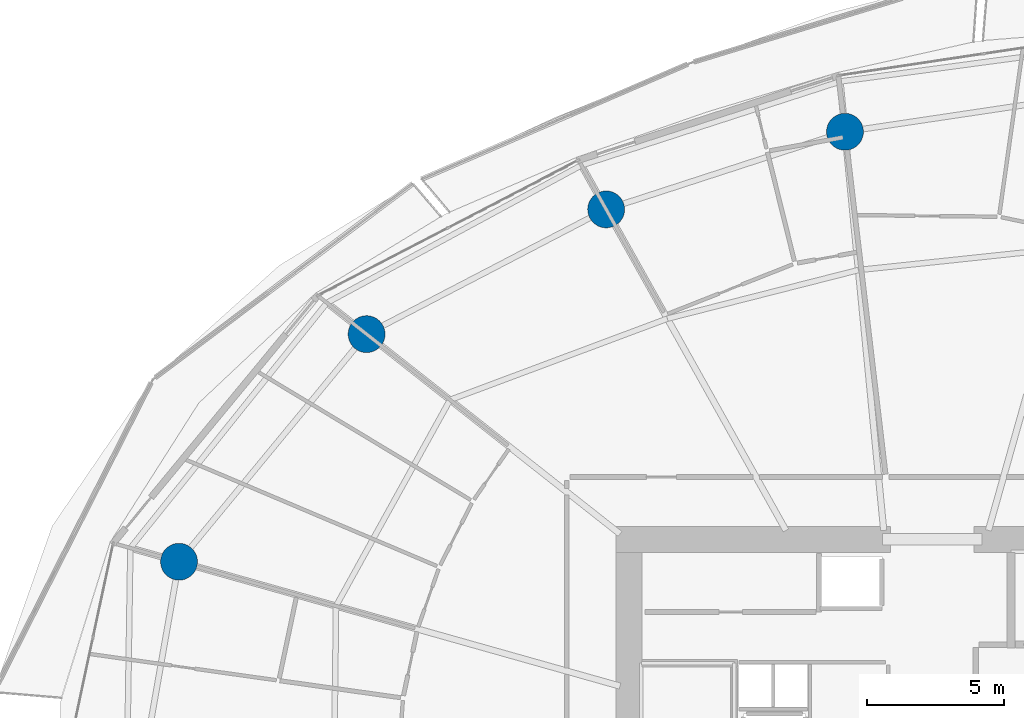
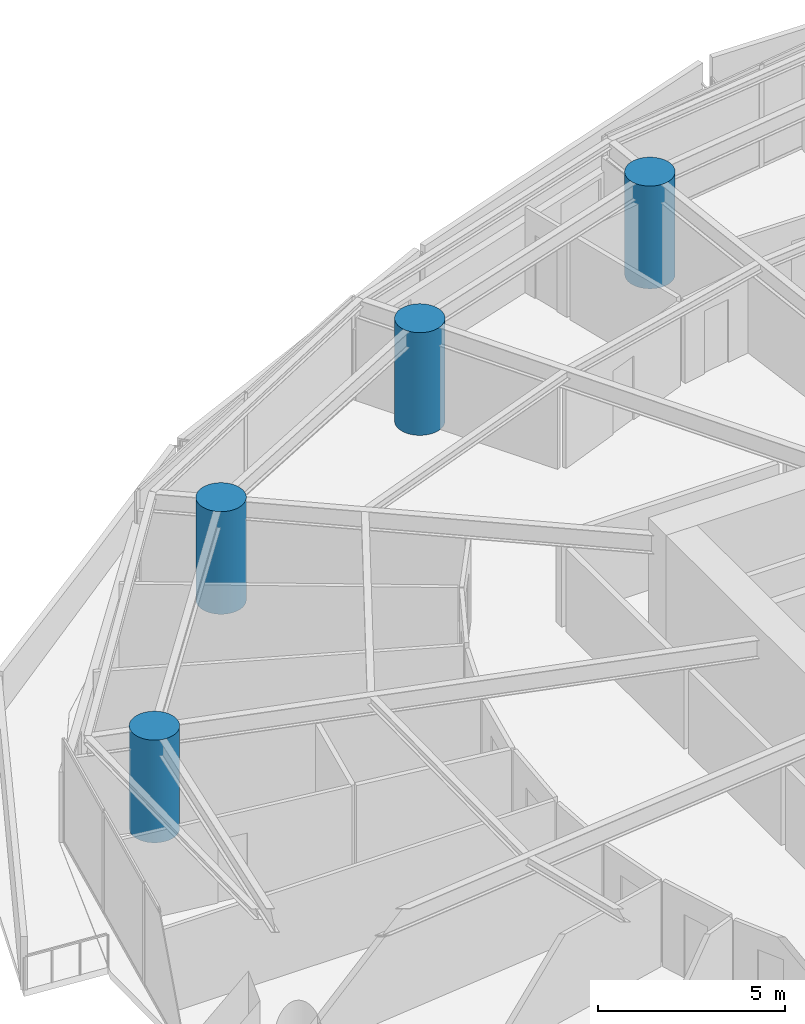
# One storey, part 4 of 31: 4 columns.
"""IFC4 building model written with IfcOpenShell, lengths in metres."""

from ifc_helpers import new_model, si_unit, direction, frame, origin, origin_2d, place, context, subcontext, project, spatial, circle, extrude, material, material_profile, profile_set, type_object, element, save


model = new_model("IFC4")

# Units and contexts
model_context = context("Model", 3, precision=1e-05, world=origin(), true_north=direction((0.0, 1.0)))
body_context = subcontext(model_context, "Body", "Model", "MODEL_VIEW")
ifc_project = project(units=[si_unit("LENGTHUNIT", "METRE"), si_unit("AREAUNIT", "SQUARE_METRE"), si_unit("VOLUMEUNIT", "CUBIC_METRE"), si_unit("PLANEANGLEUNIT", "RADIAN"), si_unit("MASSUNIT", "GRAM", prefix="KILO")], contexts=[model_context])

# Site, building, storey
site_placement = place(None, origin())
site = spatial("IfcSite", under=ifc_project, at=site_placement, CompositionType="ELEMENT")
building_placement = place(site_placement, origin())
building = spatial("IfcBuilding", under=site, at=building_placement, Name="Kazma Halo Residences", CompositionType="ELEMENT")
storey_placement = place(building_placement, frame((0.0, 0.0, 67.64990234375)))
storey = spatial("IfcBuildingStorey", under=building, at=storey_placement, Name="L16", CompositionType="ELEMENT", Elevation=67.64990234375)

# Columns
ifc_material = material(Name="Concrete C80/95", Category="concrete")
ifc_material_profile = material_profile(ifc_material, circle(Radius=0.675048828125, at=origin_2d()), Name="CIRC1350")
ifc_profile_set = profile_set([ifc_material_profile], Name="Concrete C80/95")
column_type = type_object("IfcColumnType", Name="COL-PERIM-1350", PredefinedType="COLUMN", material=ifc_profile_set)
for number, where, z_axis, x_axis, name in (
    (1, (45.231689453125, 65.389404296875, 0.0), (0.0, 0.0, 1.0), (1.0, 0.0, 0.0), "L16 perimeter ring column P04"),
    (2, (36.49169921875, 62.549560546875, 0.0), (0.0, 0.0, 1.0), (1.0, 0.0, 0.0), "L16 perimeter ring column P05"),
    (3, (27.72412109375, 57.984130859375, 0.0), (0.0, 0.0, 1.0), (1.0, 0.0, 0.0), "L16 perimeter ring column P06"),
    (4, (20.859130859375, 49.654541015625, 0.0), (0.0, 0.0, 1.0), (1.0, 0.0, 0.0), "L16 perimeter ring column P07"),
):
    element("IfcColumn", number, at=place(storey_placement, frame(where, z_axis=z_axis, x_axis=x_axis)), inside=storey, type_object=column_type, Name=name, PredefinedType="COLUMN", context=body_context, shape_type="SweptSolid", body=[
        extrude(circle(Radius=0.675048828125, at=origin_2d()), origin(), (0.0, 0.0, 1.0), 3.35009765625),
    ])

save(model, "model.ifc")
